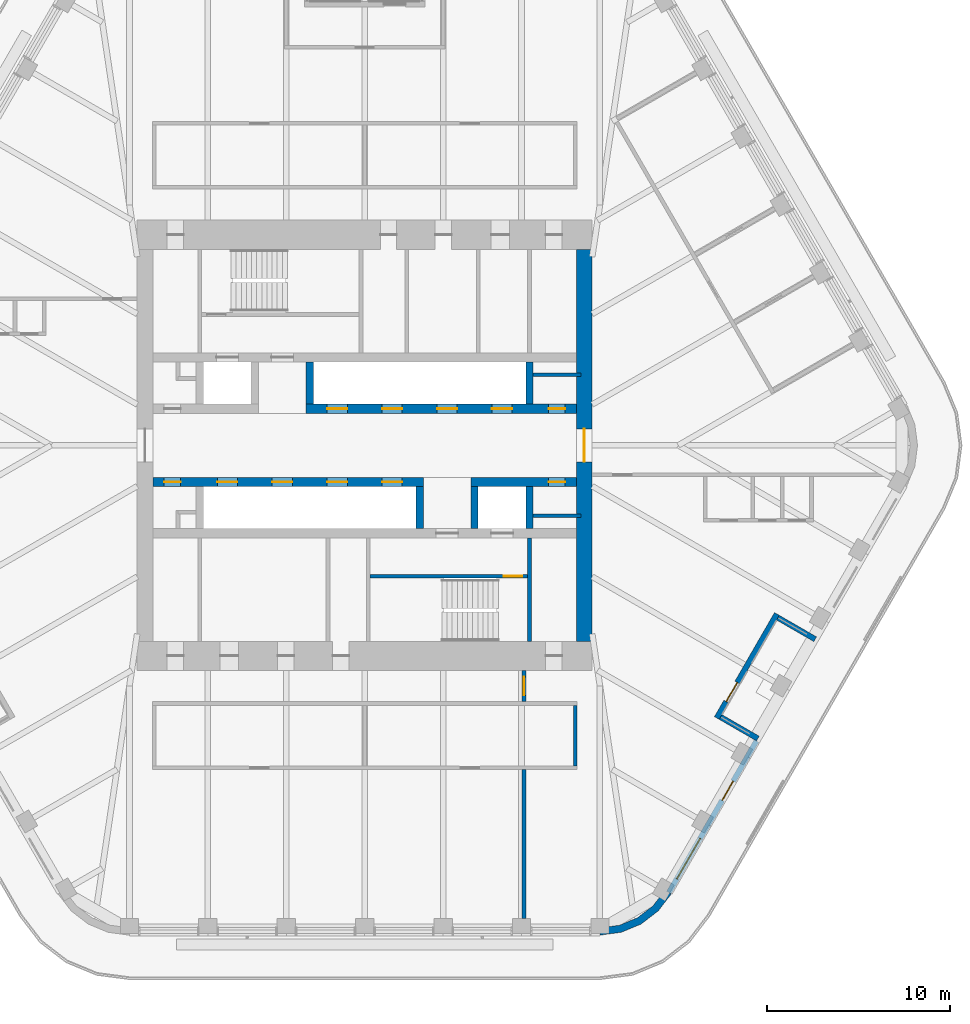
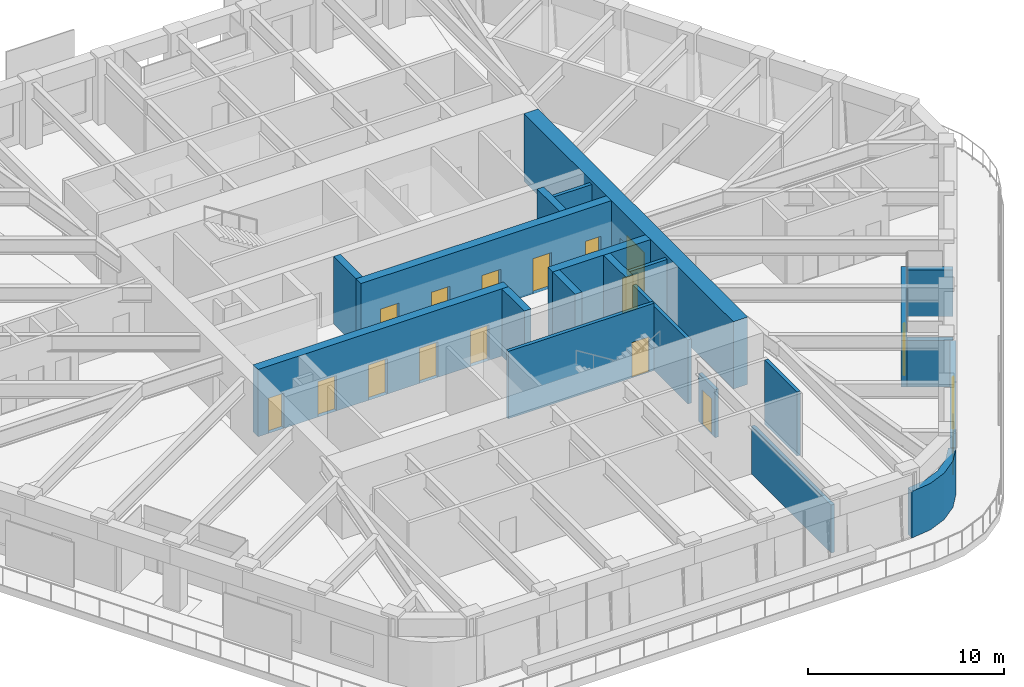
# One storey, part 14 of 19: 21 walls, 16 doors, 1 window, 17 openings.
"""IFC4 building model written with IfcOpenShell, lengths in metres."""

from ifc_helpers import new_model, si_unit, direction, frame, frame_2d, origin, place, context, subcontext, project, spatial, polyline, rectangle, outline, extrude, material, layer, layer_set, type_object, element, fill, save


model = new_model("IFC4")

# Units and contexts
model_context = context("Model", 3, precision=1e-05, world=origin(), true_north=direction((0.0, 1.0)))
body_context = subcontext(model_context, "Body", "Model", "MODEL_VIEW")
ifc_project = project(units=[si_unit("LENGTHUNIT", "METRE"), si_unit("AREAUNIT", "SQUARE_METRE"), si_unit("VOLUMEUNIT", "CUBIC_METRE"), si_unit("PLANEANGLEUNIT", "RADIAN"), si_unit("MASSUNIT", "GRAM", prefix="KILO")], contexts=[model_context])

# Site, building, storey
site_placement = place(None, origin())
site = spatial("IfcSite", under=ifc_project, at=site_placement, CompositionType="ELEMENT")
building_placement = place(site_placement, origin())
building = spatial("IfcBuilding", under=site, at=building_placement, Name="Tarfa Lantern Tower", CompositionType="ELEMENT")
storey_placement = place(building_placement, frame((0.0, 0.0, 345.10009765625)))
storey = spatial("IfcBuildingStorey", under=building, at=storey_placement, Name="L78", CompositionType="ELEMENT", Elevation=345.10009765625)

# Wall, openings, door, window
ifc_material_1 = material(Name="Limestone cladding on blockwork", Category="masonry")
ifc_layer_1 = layer(ifc_material_1, 0.300048828125)
ifc_layer_set_1 = layer_set([ifc_layer_1], Name="EW1 STONE-CLAD WALL 300")
wall_type_1 = type_object("IfcWallType", Name="EW1 STONE-CLAD WALL 300", PredefinedType="SOLIDWALL", material=ifc_layer_set_1)
wall_1_placement = place(storey_placement, frame((16.61328125, -24.425048828125, 0.0), z_axis=(0.0, 0.0, 1.0), x_axis=(0.499996453679, 0.866027451244, 0.0)))
wall_1 = element("IfcWall", 1, at=wall_1_placement, inside=storey, type_object=wall_type_1, Name="Stone wall SE", PredefinedType="SOLIDWALL", context=body_context, shape_type="SweptSolid", body=[
    extrude(rectangle(XDim=9.56396484375, YDim=0.300048828125, at=frame_2d((4.781982421875, 0.0))), origin(), (0.0, 0.0, 1.0), 2.89990234375),
])
opening_1_placement = place(wall_1_placement, frame((0.865966796875, 0.0, 0.60009765625)))
opening_1 = element("IfcOpeningElement", 2, at=opening_1_placement, cuts=wall_1, Name="Opening W17", PredefinedType="OPENING", context=body_context, shape_type="SweptSolid", body=[
    extrude(rectangle(XDim=2.550048828125, YDim=2.050048828125, at=frame_2d((1.27490234375, 1.02490234375))), frame((0.0, 0.159912109375, 0.0), z_axis=(0.0, -1.0, 0.0), x_axis=(1.0, 0.0, 0.0)), (0.0, 0.0, 1.0), 0.320068359375),
])
opening_2_placement = place(wall_1_placement, frame((5.822998046875, 0.0, 0.0)))
opening_2 = element("IfcOpeningElement", 3, at=opening_2_placement, cuts=wall_1, Name="Opening D40", PredefinedType="OPENING", context=body_context, shape_type="SweptSolid", body=[
    extrude(rectangle(XDim=1.199951171875, YDim=2.39990234375, at=frame_2d((0.60009765625, 1.199951171875))), frame((0.0, 0.159912109375, 0.0), z_axis=(0.0, -1.0, 0.0), x_axis=(1.0, 0.0, 0.0)), (0.0, 0.0, 1.0), 0.320068359375),
])
ifc_material_2 = material(Name="Aluminium framed glazed door", Category="aluminium")
door_type_1 = type_object("IfcDoorType", Name="BE3 BALCONY DOOR 1200x2400", OperationType="SINGLE_SWING_RIGHT", PredefinedType="DOOR", material=ifc_material_2)
door_1_placement = place(opening_2_placement, origin())
door_1 = element("IfcDoor", 4, at=door_1_placement, inside=storey, type_object=door_type_1, Name="Balcony door SE", OperationType="SINGLE_SWING_LEFT", OverallHeight=2.39990234375, OverallWidth=1.199951171875, PredefinedType="DOOR", context=body_context, shape_type="SweptSolid", body=[
    extrude(rectangle(XDim=1.199951171875, YDim=2.39990234375, at=frame_2d((0.60009765625, 1.199951171875))), frame((0.0, 0.02490234375, 0.0), z_axis=(0.0, -1.0, 0.0), x_axis=(1.0, 0.0, 0.0)), (0.0, 0.0, 1.0), 0.050048828125),
])
fill(opening_2, door_1)
ifc_material_3 = material(Name="Aluminium frame, double glazed", Category="aluminium")
window_type = type_object("IfcWindowType", Name="W17 FULL-HEIGHT GLAZING 2550x2050", PartitioningType="SINGLE_PANEL", PredefinedType="WINDOW", material=ifc_material_3)
window_placement = place(opening_1_placement, origin())
window = element("IfcWindow", 5, at=window_placement, inside=storey, type_object=window_type, Name="Window SE 1", OverallHeight=2.050048828125, OverallWidth=2.550048828125, PartitioningType="SINGLE_PANEL", PredefinedType="WINDOW", context=body_context, shape_type="SweptSolid", body=[
    extrude(rectangle(XDim=2.550048828125, YDim=2.050048828125, at=frame_2d((1.27490234375, 1.02490234375))), frame((0.0, 0.030029296875, 0.0), z_axis=(0.0, -1.0, 0.0), x_axis=(1.0, 0.0, 0.0)), (0.0, 0.0, 1.0), 0.06005859375),
])
fill(opening_1, window)

# Walls
for number, where, z_axis, x_axis, name in (
    (6, (21.47021484375, -16.012451171875, 0.0), (0.0, 0.0, 1.0), (-0.866016039709, 0.500016218704, 0.0), "Terrace return SE 1"),
    (7, (24.602294921875, -10.587646484375, 0.0), (0.0, 0.0, 1.0), (-0.866016039709, 0.500016218704, 0.0), "Terrace return SE 2"),
):
    element("IfcWall", number, at=place(storey_placement, frame(where, z_axis=z_axis, x_axis=x_axis)), inside=storey, type_object=wall_type_1, Name=name, PredefinedType="SOLIDWALL", context=body_context, shape_type="SweptSolid", body=[
        extrude(rectangle(XDim=2.35009765625, YDim=0.300048828125, at=frame_2d((1.175048828125, 0.0))), origin(), (0.0, 0.0, 1.0), 2.89990234375),
    ])

# Wall, opening, door
wall_2_placement = place(storey_placement, frame((19.230224609375, -14.892333984375, 0.0), z_axis=(0.0, 0.0, 1.0), x_axis=(0.499999339774, 0.866025784966, 0.0)))
wall_2 = element("IfcWall", 8, at=wall_2_placement, inside=storey, type_object=wall_type_1, Name="Stone wall SES", PredefinedType="SOLIDWALL", context=body_context, shape_type="SweptSolid", body=[
    extrude(rectangle(XDim=6.56396484375, YDim=0.300048828125, at=frame_2d((3.281982421875, 0.0))), origin(), (0.0, 0.0, 1.0), 2.89990234375),
])
opening_3_placement = place(wall_2_placement, frame((1.041015625, 0.0, 0.0)))
opening_3 = element("IfcOpeningElement", 9, at=opening_3_placement, cuts=wall_2, Name="Opening D41", PredefinedType="OPENING", context=body_context, shape_type="SweptSolid", body=[
    extrude(rectangle(XDim=1.199951171875, YDim=2.39990234375, at=frame_2d((0.60009765625, 1.199951171875))), frame((0.0, 0.159912109375, 0.0), z_axis=(0.0, -1.0, 0.0), x_axis=(1.0, 0.0, 0.0)), (0.0, 0.0, 1.0), 0.320068359375),
])
door_2_placement = place(opening_3_placement, origin())
door_2 = element("IfcDoor", 10, at=door_2_placement, inside=storey, type_object=door_type_1, Name="Balcony door SES", OperationType="SINGLE_SWING_RIGHT", OverallHeight=2.39990234375, OverallWidth=1.199951171875, PredefinedType="DOOR", context=body_context, shape_type="SweptSolid", body=[
    extrude(rectangle(XDim=1.199951171875, YDim=2.39990234375, at=frame_2d((0.60009765625, 1.199951171875))), frame((0.0, 0.02490234375, 0.0), z_axis=(0.0, -1.0, 0.0), x_axis=(1.0, 0.0, 0.0)), (0.0, 0.0, 1.0), 0.050048828125),
])
fill(opening_3, door_2)

# Walls
ifc_layer_2 = layer(ifc_material_1, 0.39990234375)
ifc_layer_set_2 = layer_set([ifc_layer_2], Name="EW2 CURVED STONE CORNER 400")
wall_type_2 = type_object("IfcWallType", Name="EW2 CURVED STONE CORNER 400", PredefinedType="SOLIDWALL", material=ifc_layer_set_2)
wall_3_placement = place(storey_placement, origin())
element("IfcWall", 11, at=wall_3_placement, inside=storey, type_object=wall_type_2, Name="Stone corner S-SE", PredefinedType="SOLIDWALL", context=body_context, shape_type="SweptSolid", body=[
    extrude(outline(polyline([(12.845947265625, -26.75), (14.0107421875, -26.5966796875), (15.095947265625, -26.147216796875), (16.028076171875, -25.431884765625), (16.7431640625, -24.5), (16.396728515625, -24.300048828125), (15.7451171875, -25.149169921875), (14.89599609375, -25.80078125), (13.9072265625, -26.210205078125), (12.845947265625, -26.35009765625), (12.845947265625, -26.75)])), origin(), (0.0, 0.0, 1.0), 2.89990234375),
])
ifc_material_4 = material(Name="Concrete blockwork", Category="masonry")
ifc_layer_3 = layer(ifc_material_4, 0.199951171875)
ifc_layer_set_3 = layer_set([ifc_layer_3], Name="IW1 BLOCKWORK PARTITION 200 EI 120")
wall_type_3 = type_object("IfcWallType", Name="IW1 BLOCKWORK PARTITION 200 EI 120", PredefinedType="PARTITIONING", material=ifc_layer_set_3)
wall_4_placement = place(storey_placement, frame((9.0, -5.050048828125, 0.0), z_axis=(0.0, 0.0, 1.0), x_axis=(0.0, -1.0, 0.0)))
element("IfcWall", 12, at=wall_4_placement, inside=storey, type_object=wall_type_3, Name="Core partition", PredefinedType="PARTITIONING", context=body_context, shape_type="SweptSolid", body=[
    extrude(rectangle(XDim=5.64990234375, YDim=0.199951171875, at=frame_2d((2.824951171875, 0.0))), origin(), (0.0, 0.0, 1.0), 4.0),
])
for number, where, z_axis, x_axis, name in (
    (13, (9.199951171875, 3.85009765625, 0.0), (0.0, 0.0, 1.0), (1.0, 0.0, 0.0), "Core partition"),
    (14, (11.800048828125, -3.85009765625, 0.0), (0.0, 0.0, 1.0), (-1.0, 0.0, 0.0), "Core partition"),
):
    element("IfcWall", number, at=place(storey_placement, frame(where, z_axis=z_axis, x_axis=x_axis)), inside=storey, type_object=wall_type_3, Name=name, PredefinedType="PARTITIONING", context=body_context, shape_type="SweptSolid", body=[
        extrude(rectangle(XDim=2.60009765625, YDim=0.199951171875, at=frame_2d((1.300048828125, 0.0))), origin(), (0.0, 0.0, 1.0), 4.0),
    ])
ifc_material_5 = material(Name="Gypsum board on steel studs", Category="steel")
ifc_layer_4 = layer(ifc_material_5, 0.2099609375)
ifc_layer_set_4 = layer_set([ifc_layer_4], Name="IW2 ACOUSTIC PARTITION 200")
wall_type_4 = type_object("IfcWallType", Name="IW2 ACOUSTIC PARTITION 200", PredefinedType="PARTITIONING", material=ifc_layer_set_4)
wall_5_placement = place(storey_placement, frame((11.5, -14.199951171875, 0.0), z_axis=(0.0, 0.0, 1.0), x_axis=(0.0, -1.0, 0.0)))
element("IfcWall", 15, at=wall_5_placement, inside=storey, type_object=wall_type_4, Name="Partition", PredefinedType="PARTITIONING", context=body_context, shape_type="SweptSolid", body=[
    extrude(rectangle(XDim=3.300048828125, YDim=0.199951171875, at=frame_2d((1.64990234375, 0.0))), origin(), (0.0, 0.0, 1.0), 4.0),
])

# Wall, opening, door
wall_6_placement = place(storey_placement, frame((8.699951171875, -12.300048828125, 0.0), z_axis=(0.0, 0.0, 1.0), x_axis=(0.0, -1.0, 0.0)))
wall_6 = element("IfcWall", 16, at=wall_6_placement, inside=storey, type_object=wall_type_4, Name="Partition", PredefinedType="PARTITIONING", context=body_context, shape_type="SweptSolid", body=[
    extrude(rectangle(XDim=1.699951171875, YDim=0.199951171875, at=frame_2d((0.85009765625, 0.0))), origin(), (0.0, 0.0, 1.0), 2.99169921875),
])
opening_4_placement = place(wall_6_placement, frame((0.35009765625, 0.0, 0.0)))
opening_4 = element("IfcOpeningElement", 17, at=opening_4_placement, cuts=wall_6, Name="Opening D36", PredefinedType="OPENING", context=body_context, shape_type="SweptSolid", body=[
    extrude(rectangle(XDim=1.0, YDim=2.199951171875, at=frame_2d((0.5, 1.10009765625))), frame((0.0, 0.10986328125, 0.0), z_axis=(0.0, -1.0, 0.0), x_axis=(1.0, 0.0, 0.0)), (0.0, 0.0, 1.0), 0.219970703125),
])
ifc_material_6 = material(Name="Timber door", Category="wood")
door_type_2 = type_object("IfcDoorType", Name="DR1 ROOM DOOR 1000x2200", OperationType="SINGLE_SWING_LEFT", PredefinedType="DOOR", material=ifc_material_6)
door_3_placement = place(opening_4_placement, origin())
door_3 = element("IfcDoor", 18, at=door_3_placement, inside=storey, type_object=door_type_2, Name="Zone door", OperationType="SINGLE_SWING_LEFT", OverallHeight=2.199951171875, OverallWidth=1.0, PredefinedType="DOOR", context=body_context, shape_type="SweptSolid", body=[
    extrude(rectangle(XDim=1.0, YDim=2.199951171875, at=frame_2d((0.5, 1.10009765625))), frame((0.0, 0.02490234375, 0.0), z_axis=(0.0, -1.0, 0.0), x_axis=(1.0, 0.0, 0.0)), (0.0, 0.0, 1.0), 0.050048828125),
])
fill(opening_4, door_3)

# Wall
wall_7_placement = place(storey_placement, frame((8.699951171875, -17.699951171875, 0.0), z_axis=(0.0, 0.0, 1.0), x_axis=(0.0, -1.0, 0.0)))
element("IfcWall", 19, at=wall_7_placement, inside=storey, type_object=wall_type_4, Name="Partition", PredefinedType="PARTITIONING", context=body_context, shape_type="SweptSolid", body=[
    extrude(rectangle(XDim=8.150146484375, YDim=0.199951171875, at=frame_2d((4.0751953125, 0.0))), origin(), (0.0, 0.0, 1.0), 2.99169921875),
])

# Wall, opening, door
ifc_material_7 = material(Name="Concrete C80/95", Category="concrete")
ifc_layer_5 = layer(ifc_material_7, 0.199951171875)
ifc_layer_set_5 = layer_set([ifc_layer_5], Name="SW12 CORE WALL 200")
wall_type_5 = type_object("IfcWallType", Name="SW12 CORE WALL 200", PredefinedType="SHEAR", material=ifc_layer_set_5)
wall_8_placement = place(storey_placement, frame((8.89990234375, -7.14990234375, 0.0), z_axis=(0.0, 0.0, 1.0), x_axis=(-1.0, 0.0, 0.0)))
wall_8 = element("IfcWall", 20, at=wall_8_placement, inside=storey, type_object=wall_type_5, Name="Core wall stair partition S", PredefinedType="SHEAR", context=body_context, shape_type="SweptSolid", body=[
    extrude(rectangle(XDim=8.599853515625, YDim=0.199951171875, at=frame_2d((4.2998046875, 0.0))), origin(), (0.0, 0.0, 1.0), 4.199951171875),
])
opening_5_placement = place(wall_8_placement, frame((0.300048828125, 0.0, 0.0)))
opening_5 = element("IfcOpeningElement", 21, at=opening_5_placement, cuts=wall_8, Name="Opening D20", PredefinedType="OPENING", context=body_context, shape_type="SweptSolid", body=[
    extrude(rectangle(XDim=1.0, YDim=2.199951171875, at=frame_2d((0.5, 1.10009765625))), frame((0.0, 0.10986328125, 0.0), z_axis=(0.0, -1.0, 0.0), x_axis=(1.0, 0.0, 0.0)), (0.0, 0.0, 1.0), 0.219970703125),
])
ifc_material_8 = material(Name="Steel fire door", Category="steel")
door_type_3 = type_object("IfcDoorType", Name="DF2 STAIR DOOR 1000x2200", OperationType="SINGLE_SWING_LEFT", PredefinedType="DOOR", material=ifc_material_8)
door_4_placement = place(opening_5_placement, origin())
door_4 = element("IfcDoor", 22, at=door_4_placement, inside=storey, type_object=door_type_3, Name="Stair door", OperationType="SINGLE_SWING_RIGHT", OverallHeight=2.199951171875, OverallWidth=1.0, PredefinedType="DOOR", context=body_context, shape_type="SweptSolid", body=[
    extrude(rectangle(XDim=1.0, YDim=2.199951171875, at=frame_2d((0.5, 1.10009765625))), frame((0.0, 0.02490234375, 0.0), z_axis=(0.0, -1.0, 0.0), x_axis=(1.0, 0.0, 0.0)), (0.0, 0.0, 1.0), 0.050048828125),
])
fill(opening_5, door_4)

ifc_layer_6 = layer(ifc_material_7, 0.85009765625)
ifc_layer_set_6 = layer_set([ifc_layer_6], Name="SW3 CORE WALL 850")
wall_type_6 = type_object("IfcWallType", Name="SW3 CORE WALL 850", PredefinedType="SHEAR", material=ifc_layer_set_6)
wall_9_placement = place(storey_placement, frame((12.0, -10.699951171875, 0.0), z_axis=(0.0, 0.0, 1.0), x_axis=(0.0, 1.0, 0.0)))
wall_9 = element("IfcWall", 23, at=wall_9_placement, inside=storey, type_object=wall_type_6, Name="Core wall E", PredefinedType="SHEAR", context=body_context, shape_type="SweptSolid", body=[
    extrude(rectangle(XDim=21.39990234375, YDim=0.85009765625, at=frame_2d((10.699951171875, 0.0))), origin(), (0.0, 0.0, 1.0), 4.199951171875),
])
opening_6_placement = place(wall_9_placement, frame((9.800048828125, 0.0, 0.0)))
opening_6 = element("IfcOpeningElement", 24, at=opening_6_placement, cuts=wall_9, Name="Opening D07", PredefinedType="OPENING", context=body_context, shape_type="SweptSolid", body=[
    extrude(rectangle(XDim=1.800048828125, YDim=2.39990234375, at=frame_2d((0.89990234375, 1.199951171875))), frame((0.0, 0.43505859375, 0.0), z_axis=(0.0, -1.0, 0.0), x_axis=(1.0, 0.0, 0.0)), (0.0, 0.0, 1.0), 0.8701171875),
])
door_type_4 = type_object("IfcDoorType", Name="DL1 LOBBY DOOR 1800x2400", OperationType="DOUBLE_DOOR_SINGLE_SWING", PredefinedType="DOOR", material=ifc_material_8)
door_5_placement = place(opening_6_placement, frame((1.800048828125, 0.0, 0.0), z_axis=(0.0, 0.0, 1.0), x_axis=(-1.0, 0.0, 0.0)))
door_5 = element("IfcDoor", 25, at=door_5_placement, inside=storey, type_object=door_type_4, Name="Lift lobby door", OperationType="DOUBLE_DOOR_SINGLE_SWING", OverallHeight=2.39990234375, OverallWidth=1.800048828125, PredefinedType="DOOR", context=body_context, shape_type="SweptSolid", body=[
    extrude(rectangle(XDim=1.800048828125, YDim=2.39990234375, at=frame_2d((0.89990234375, 1.199951171875))), frame((0.0, 0.02490234375, 0.0), z_axis=(0.0, -1.0, 0.0), x_axis=(1.0, 0.0, 0.0)), (0.0, 0.0, 1.0), 0.050048828125),
])
fill(opening_6, door_5)

# Wall, openings, doors
ifc_layer_7 = layer(ifc_material_7, 0.5)
ifc_layer_set_7 = layer_set([ifc_layer_7], Name="SW5 CORE WALL 500")
wall_type_7 = type_object("IfcWallType", Name="SW5 CORE WALL 500", PredefinedType="SHEAR", material=ifc_layer_set_7)
wall_10_placement = place(storey_placement, frame((-3.199951171875, 2.0, 0.0), z_axis=(0.0, 0.0, 1.0), x_axis=(1.0, 0.0, 0.0)))
wall_10 = element("IfcWall", 26, at=wall_10_placement, inside=storey, type_object=wall_type_7, Name="Core wall lobby east N", PredefinedType="SHEAR", context=body_context, shape_type="SweptSolid", body=[
    extrude(rectangle(XDim=14.77490234375, YDim=0.5, at=frame_2d((7.387451171875, 0.0))), origin(), (0.0, 0.0, 1.0), 4.199951171875),
])
opening_7_placement = place(wall_10_placement, frame((13.25, 0.0, 0.0)))
opening_7 = element("IfcOpeningElement", 27, at=opening_7_placement, cuts=wall_10, Name="Opening D09", PredefinedType="OPENING", context=body_context, shape_type="SweptSolid", body=[
    extrude(rectangle(XDim=0.89990234375, YDim=2.199951171875, at=frame_2d((0.449951171875, 1.10009765625))), frame((0.0, 0.260009765625, 0.0), z_axis=(0.0, -1.0, 0.0), x_axis=(1.0, 0.0, 0.0)), (0.0, 0.0, 1.0), 0.52001953125),
])
opening_8_placement = place(wall_10_placement, frame((1.14990234375, 0.0, 0.0)))
opening_8 = element("IfcOpeningElement", 28, at=opening_8_placement, cuts=wall_10, Name="Opening LD03", PredefinedType="OPENING", context=body_context, shape_type="SweptSolid", body=[
    extrude(rectangle(XDim=1.10009765625, YDim=2.199951171875, at=frame_2d((0.550048828125, 1.10009765625))), frame((0.0, 0.260009765625, 0.0), z_axis=(0.0, -1.0, 0.0), x_axis=(1.0, 0.0, 0.0)), (0.0, 0.0, 1.0), 0.52001953125),
])
opening_9_placement = place(wall_10_placement, frame((4.14990234375, 0.0, 0.0)))
opening_9 = element("IfcOpeningElement", 29, at=opening_9_placement, cuts=wall_10, Name="Opening LD04", PredefinedType="OPENING", context=body_context, shape_type="SweptSolid", body=[
    extrude(rectangle(XDim=1.10009765625, YDim=2.199951171875, at=frame_2d((0.550048828125, 1.10009765625))), frame((0.0, 0.260009765625, 0.0), z_axis=(0.0, -1.0, 0.0), x_axis=(1.0, 0.0, 0.0)), (0.0, 0.0, 1.0), 0.52001953125),
])
opening_10_placement = place(wall_10_placement, frame((7.14990234375, 0.0, 0.0)))
opening_10 = element("IfcOpeningElement", 30, at=opening_10_placement, cuts=wall_10, Name="Opening LD05", PredefinedType="OPENING", context=body_context, shape_type="SweptSolid", body=[
    extrude(rectangle(XDim=1.10009765625, YDim=2.199951171875, at=frame_2d((0.550048828125, 1.10009765625))), frame((0.0, 0.260009765625, 0.0), z_axis=(0.0, -1.0, 0.0), x_axis=(1.0, 0.0, 0.0)), (0.0, 0.0, 1.0), 0.52001953125),
])
opening_11_placement = place(wall_10_placement, frame((10.14990234375, 0.0, 0.0)))
opening_11 = element("IfcOpeningElement", 31, at=opening_11_placement, cuts=wall_10, Name="Opening LD06", PredefinedType="OPENING", context=body_context, shape_type="SweptSolid", body=[
    extrude(rectangle(XDim=1.10009765625, YDim=2.199951171875, at=frame_2d((0.550048828125, 1.10009765625))), frame((0.0, 0.260009765625, 0.0), z_axis=(0.0, -1.0, 0.0), x_axis=(1.0, 0.0, 0.0)), (0.0, 0.0, 1.0), 0.52001953125),
])
door_type_5 = type_object("IfcDoorType", Name="DF6 SERVICE ROOM DOOR 900x2200", OperationType="SINGLE_SWING_LEFT", PredefinedType="DOOR", material=ifc_material_8)
door_6_placement = place(opening_7_placement, origin())
door_6 = element("IfcDoor", 32, at=door_6_placement, inside=storey, type_object=door_type_5, Name="Service room door", OperationType="SINGLE_SWING_LEFT", OverallHeight=2.199951171875, OverallWidth=0.89990234375, PredefinedType="DOOR", context=body_context, shape_type="SweptSolid", body=[
    extrude(rectangle(XDim=0.89990234375, YDim=2.199951171875, at=frame_2d((0.449951171875, 1.10009765625))), frame((0.0, 0.02490234375, 0.0), z_axis=(0.0, -1.0, 0.0), x_axis=(1.0, 0.0, 0.0)), (0.0, 0.0, 1.0), 0.050048828125),
])
fill(opening_7, door_6)
ifc_material_9 = material(Name="Stainless steel lift door", Category="steel")
door_type_6 = type_object("IfcDoorType", Name="LD2 LIFT LANDING DOOR 1100x2200", OperationType="SLIDING_TO_LEFT", PredefinedType="DOOR", material=ifc_material_9)
door_7_placement = place(opening_8_placement, frame((1.10009765625, 0.0, 0.0), z_axis=(0.0, 0.0, 1.0), x_axis=(-1.0, 0.0, 0.0)))
door_7 = element("IfcDoor", 33, at=door_7_placement, inside=storey, type_object=door_type_6, Name="Landing door PD1", OperationType="SLIDING_TO_LEFT", OverallHeight=2.199951171875, OverallWidth=1.10009765625, PredefinedType="DOOR", context=body_context, shape_type="SweptSolid", body=[
    extrude(rectangle(XDim=1.10009765625, YDim=2.199951171875, at=frame_2d((0.550048828125, 1.10009765625))), frame((0.0, 0.02490234375, 0.0), z_axis=(0.0, -1.0, 0.0), x_axis=(1.0, 0.0, 0.0)), (0.0, 0.0, 1.0), 0.050048828125),
])
fill(opening_8, door_7)
door_8_placement = place(opening_9_placement, frame((1.10009765625, 0.0, 0.0), z_axis=(0.0, 0.0, 1.0), x_axis=(-1.0, 0.0, 0.0)))
door_8 = element("IfcDoor", 34, at=door_8_placement, inside=storey, type_object=door_type_6, Name="Landing door PD2", OperationType="SLIDING_TO_LEFT", OverallHeight=2.199951171875, OverallWidth=1.10009765625, PredefinedType="DOOR", context=body_context, shape_type="SweptSolid", body=[
    extrude(rectangle(XDim=1.10009765625, YDim=2.199951171875, at=frame_2d((0.550048828125, 1.10009765625))), frame((0.0, 0.02490234375, 0.0), z_axis=(0.0, -1.0, 0.0), x_axis=(1.0, 0.0, 0.0)), (0.0, 0.0, 1.0), 0.050048828125),
])
fill(opening_9, door_8)
door_9_placement = place(opening_10_placement, frame((1.10009765625, 0.0, 0.0), z_axis=(0.0, 0.0, 1.0), x_axis=(-1.0, 0.0, 0.0)))
door_9 = element("IfcDoor", 35, at=door_9_placement, inside=storey, type_object=door_type_6, Name="Landing door PD3", OperationType="SLIDING_TO_LEFT", OverallHeight=2.199951171875, OverallWidth=1.10009765625, PredefinedType="DOOR", context=body_context, shape_type="SweptSolid", body=[
    extrude(rectangle(XDim=1.10009765625, YDim=2.199951171875, at=frame_2d((0.550048828125, 1.10009765625))), frame((0.0, 0.02490234375, 0.0), z_axis=(0.0, -1.0, 0.0), x_axis=(1.0, 0.0, 0.0)), (0.0, 0.0, 1.0), 0.050048828125),
])
fill(opening_10, door_9)
door_10_placement = place(opening_11_placement, frame((1.10009765625, 0.0, 0.0), z_axis=(0.0, 0.0, 1.0), x_axis=(-1.0, 0.0, 0.0)))
door_10 = element("IfcDoor", 36, at=door_10_placement, inside=storey, type_object=door_type_6, Name="Landing door PD4", OperationType="SLIDING_TO_LEFT", OverallHeight=2.199951171875, OverallWidth=1.10009765625, PredefinedType="DOOR", context=body_context, shape_type="SweptSolid", body=[
    extrude(rectangle(XDim=1.10009765625, YDim=2.199951171875, at=frame_2d((0.550048828125, 1.10009765625))), frame((0.0, 0.02490234375, 0.0), z_axis=(0.0, -1.0, 0.0), x_axis=(1.0, 0.0, 0.0)), (0.0, 0.0, 1.0), 0.050048828125),
])
fill(opening_11, door_10)

# Wall, opening, door
wall_11_placement = place(storey_placement, frame((11.574951171875, -2.0, 0.0), z_axis=(0.0, 0.0, 1.0), x_axis=(-1.0, 0.0, 0.0)))
wall_11 = element("IfcWall", 37, at=wall_11_placement, inside=storey, type_object=wall_type_7, Name="Core wall lobby west S", PredefinedType="SHEAR", context=body_context, shape_type="SweptSolid", body=[
    extrude(rectangle(XDim=5.77490234375, YDim=0.5, at=frame_2d((2.887451171875, 0.0))), origin(), (0.0, 0.0, 1.0), 4.199951171875),
])
opening_12_placement = place(wall_11_placement, frame((0.625, 0.0, 0.0)))
opening_12 = element("IfcOpeningElement", 38, at=opening_12_placement, cuts=wall_11, Name="Opening D12", PredefinedType="OPENING", context=body_context, shape_type="SweptSolid", body=[
    extrude(rectangle(XDim=0.89990234375, YDim=2.199951171875, at=frame_2d((0.449951171875, 1.10009765625))), frame((0.0, 0.260009765625, 0.0), z_axis=(0.0, -1.0, 0.0), x_axis=(1.0, 0.0, 0.0)), (0.0, 0.0, 1.0), 0.52001953125),
])
door_11_placement = place(opening_12_placement, origin())
door_11 = element("IfcDoor", 39, at=door_11_placement, inside=storey, type_object=door_type_5, Name="Service room door", OperationType="SINGLE_SWING_RIGHT", OverallHeight=2.199951171875, OverallWidth=0.89990234375, PredefinedType="DOOR", context=body_context, shape_type="SweptSolid", body=[
    extrude(rectangle(XDim=0.89990234375, YDim=2.199951171875, at=frame_2d((0.449951171875, 1.10009765625))), frame((0.0, 0.02490234375, 0.0), z_axis=(0.0, -1.0, 0.0), x_axis=(1.0, 0.0, 0.0)), (0.0, 0.0, 1.0), 0.050048828125),
])
fill(opening_12, door_11)

# Wall, openings, doors
wall_12_placement = place(storey_placement, frame((3.199951171875, -2.0, 0.0), z_axis=(0.0, 0.0, 1.0), x_axis=(-1.0, 0.0, 0.0)))
wall_12 = element("IfcWall", 40, at=wall_12_placement, inside=storey, type_object=wall_type_7, Name="Core wall lobby east S", PredefinedType="SHEAR", context=body_context, shape_type="SweptSolid", body=[
    extrude(rectangle(XDim=14.77490234375, YDim=0.5, at=frame_2d((7.387451171875, 0.0))), origin(), (0.0, 0.0, 1.0), 4.199951171875),
])
opening_13_placement = place(wall_12_placement, frame((13.25, 0.0, 0.0)))
opening_13 = element("IfcOpeningElement", 41, at=opening_13_placement, cuts=wall_12, Name="Opening D10", PredefinedType="OPENING", context=body_context, shape_type="SweptSolid", body=[
    extrude(rectangle(XDim=0.89990234375, YDim=2.199951171875, at=frame_2d((0.449951171875, 1.10009765625))), frame((0.0, 0.260009765625, 0.0), z_axis=(0.0, -1.0, 0.0), x_axis=(1.0, 0.0, 0.0)), (0.0, 0.0, 1.0), 0.52001953125),
])
opening_14_placement = place(wall_12_placement, frame((1.14990234375, 0.0, 0.0)))
opening_14 = element("IfcOpeningElement", 42, at=opening_14_placement, cuts=wall_12, Name="Opening LD07", PredefinedType="OPENING", context=body_context, shape_type="SweptSolid", body=[
    extrude(rectangle(XDim=1.10009765625, YDim=2.199951171875, at=frame_2d((0.550048828125, 1.10009765625))), frame((0.0, 0.260009765625, 0.0), z_axis=(0.0, -1.0, 0.0), x_axis=(1.0, 0.0, 0.0)), (0.0, 0.0, 1.0), 0.52001953125),
])
opening_15_placement = place(wall_12_placement, frame((4.14990234375, 0.0, 0.0)))
opening_15 = element("IfcOpeningElement", 43, at=opening_15_placement, cuts=wall_12, Name="Opening LD08", PredefinedType="OPENING", context=body_context, shape_type="SweptSolid", body=[
    extrude(rectangle(XDim=1.10009765625, YDim=2.199951171875, at=frame_2d((0.550048828125, 1.10009765625))), frame((0.0, 0.260009765625, 0.0), z_axis=(0.0, -1.0, 0.0), x_axis=(1.0, 0.0, 0.0)), (0.0, 0.0, 1.0), 0.52001953125),
])
opening_16_placement = place(wall_12_placement, frame((7.14990234375, 0.0, 0.0)))
opening_16 = element("IfcOpeningElement", 44, at=opening_16_placement, cuts=wall_12, Name="Opening LD09", PredefinedType="OPENING", context=body_context, shape_type="SweptSolid", body=[
    extrude(rectangle(XDim=1.10009765625, YDim=2.199951171875, at=frame_2d((0.550048828125, 1.10009765625))), frame((0.0, 0.260009765625, 0.0), z_axis=(0.0, -1.0, 0.0), x_axis=(1.0, 0.0, 0.0)), (0.0, 0.0, 1.0), 0.52001953125),
])
opening_17_placement = place(wall_12_placement, frame((10.14990234375, 0.0, 0.0)))
opening_17 = element("IfcOpeningElement", 45, at=opening_17_placement, cuts=wall_12, Name="Opening LD10", PredefinedType="OPENING", context=body_context, shape_type="SweptSolid", body=[
    extrude(rectangle(XDim=1.10009765625, YDim=2.199951171875, at=frame_2d((0.550048828125, 1.10009765625))), frame((0.0, 0.260009765625, 0.0), z_axis=(0.0, -1.0, 0.0), x_axis=(1.0, 0.0, 0.0)), (0.0, 0.0, 1.0), 0.52001953125),
])
door_12_placement = place(opening_13_placement, origin())
door_12 = element("IfcDoor", 46, at=door_12_placement, inside=storey, type_object=door_type_5, Name="Service room door", OperationType="SINGLE_SWING_LEFT", OverallHeight=2.199951171875, OverallWidth=0.89990234375, PredefinedType="DOOR", context=body_context, shape_type="SweptSolid", body=[
    extrude(rectangle(XDim=0.89990234375, YDim=2.199951171875, at=frame_2d((0.449951171875, 1.10009765625))), frame((0.0, 0.02490234375, 0.0), z_axis=(0.0, -1.0, 0.0), x_axis=(1.0, 0.0, 0.0)), (0.0, 0.0, 1.0), 0.050048828125),
])
fill(opening_13, door_12)
door_13_placement = place(opening_14_placement, frame((1.10009765625, 0.0, 0.0), z_axis=(0.0, 0.0, 1.0), x_axis=(-1.0, 0.0, 0.0)))
door_13 = element("IfcDoor", 47, at=door_13_placement, inside=storey, type_object=door_type_6, Name="Landing door PD5", OperationType="SLIDING_TO_LEFT", OverallHeight=2.199951171875, OverallWidth=1.10009765625, PredefinedType="DOOR", context=body_context, shape_type="SweptSolid", body=[
    extrude(rectangle(XDim=1.10009765625, YDim=2.199951171875, at=frame_2d((0.550048828125, 1.10009765625))), frame((0.0, 0.02490234375, 0.0), z_axis=(0.0, -1.0, 0.0), x_axis=(1.0, 0.0, 0.0)), (0.0, 0.0, 1.0), 0.050048828125),
])
fill(opening_14, door_13)
door_14_placement = place(opening_15_placement, frame((1.10009765625, 0.0, 0.0), z_axis=(0.0, 0.0, 1.0), x_axis=(-1.0, 0.0, 0.0)))
door_14 = element("IfcDoor", 48, at=door_14_placement, inside=storey, type_object=door_type_6, Name="Landing door PD6", OperationType="SLIDING_TO_LEFT", OverallHeight=2.199951171875, OverallWidth=1.10009765625, PredefinedType="DOOR", context=body_context, shape_type="SweptSolid", body=[
    extrude(rectangle(XDim=1.10009765625, YDim=2.199951171875, at=frame_2d((0.550048828125, 1.10009765625))), frame((0.0, 0.02490234375, 0.0), z_axis=(0.0, -1.0, 0.0), x_axis=(1.0, 0.0, 0.0)), (0.0, 0.0, 1.0), 0.050048828125),
])
fill(opening_15, door_14)
door_15_placement = place(opening_16_placement, frame((1.10009765625, 0.0, 0.0), z_axis=(0.0, 0.0, 1.0), x_axis=(-1.0, 0.0, 0.0)))
door_15 = element("IfcDoor", 49, at=door_15_placement, inside=storey, type_object=door_type_6, Name="Landing door PD7", OperationType="SLIDING_TO_LEFT", OverallHeight=2.199951171875, OverallWidth=1.10009765625, PredefinedType="DOOR", context=body_context, shape_type="SweptSolid", body=[
    extrude(rectangle(XDim=1.10009765625, YDim=2.199951171875, at=frame_2d((0.550048828125, 1.10009765625))), frame((0.0, 0.02490234375, 0.0), z_axis=(0.0, -1.0, 0.0), x_axis=(1.0, 0.0, 0.0)), (0.0, 0.0, 1.0), 0.050048828125),
])
fill(opening_16, door_15)
door_16_placement = place(opening_17_placement, frame((1.10009765625, 0.0, 0.0), z_axis=(0.0, 0.0, 1.0), x_axis=(-1.0, 0.0, 0.0)))
door_16 = element("IfcDoor", 50, at=door_16_placement, inside=storey, type_object=door_type_6, Name="Landing door PD8", OperationType="SLIDING_TO_LEFT", OverallHeight=2.199951171875, OverallWidth=1.10009765625, PredefinedType="DOOR", context=body_context, shape_type="SweptSolid", body=[
    extrude(rectangle(XDim=1.10009765625, YDim=2.199951171875, at=frame_2d((0.550048828125, 1.10009765625))), frame((0.0, 0.02490234375, 0.0), z_axis=(0.0, -1.0, 0.0), x_axis=(1.0, 0.0, 0.0)), (0.0, 0.0, 1.0), 0.050048828125),
])
fill(opening_17, door_16)

# Walls
ifc_layer_8 = layer(ifc_material_7, 0.39990234375)
ifc_layer_set_8 = layer_set([ifc_layer_8], Name="SW6 CORE WALL 400")
wall_type_8 = type_object("IfcWallType", Name="SW6 CORE WALL 400", PredefinedType="SHEAR", material=ifc_layer_set_8)
for number, where, z_axis, x_axis, name in (
    (51, (-3.0, 2.25, 0.0), (0.0, 0.0, 1.0), (0.0, 1.0, 0.0), "Core wall divider N"),
    (52, (9.0, 2.25, 0.0), (0.0, 0.0, 1.0), (0.0, 1.0, 0.0), "Core wall divider N"),
    (53, (9.0, -2.25, 0.0), (0.0, 0.0, 1.0), (0.0, -1.0, 0.0), "Core wall divider S"),
    (54, (6.0, -2.25, 0.0), (0.0, 0.0, 1.0), (0.0, -1.0, 0.0), "Core wall divider S"),
    (55, (3.0, -2.25, 0.0), (0.0, 0.0, 1.0), (0.0, -1.0, 0.0), "Core wall divider S"),
):
    element("IfcWall", number, at=place(storey_placement, frame(where, z_axis=z_axis, x_axis=x_axis)), inside=storey, type_object=wall_type_8, Name=name, PredefinedType="SHEAR", context=body_context, shape_type="SweptSolid", body=[
        extrude(rectangle(XDim=2.300048828125, YDim=0.39990234375, at=frame_2d((1.14990234375, 0.0))), origin(), (0.0, 0.0, 1.0), 4.199951171875),
    ])

save(model, "model.ifc")
